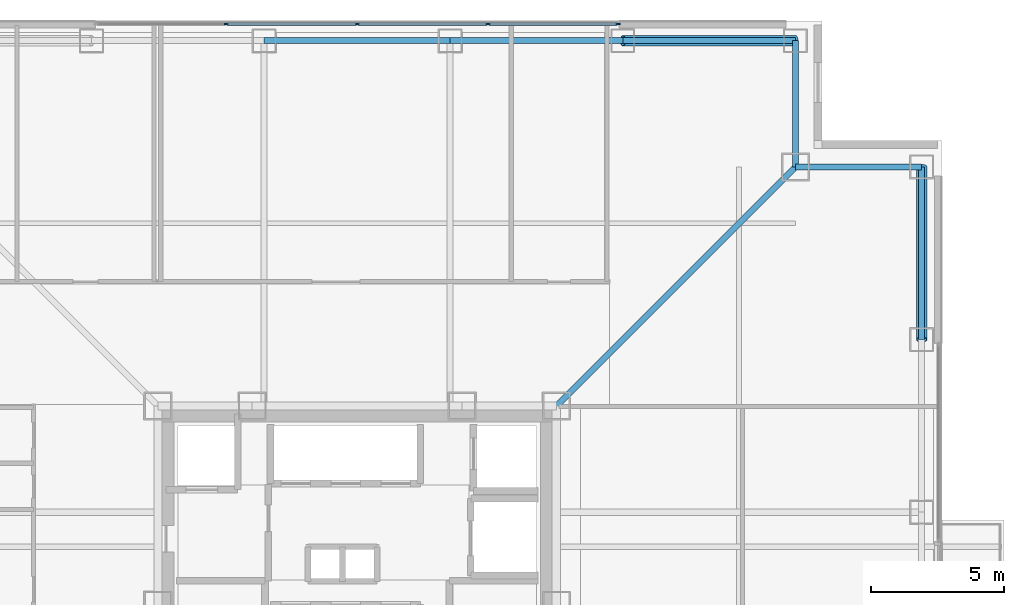
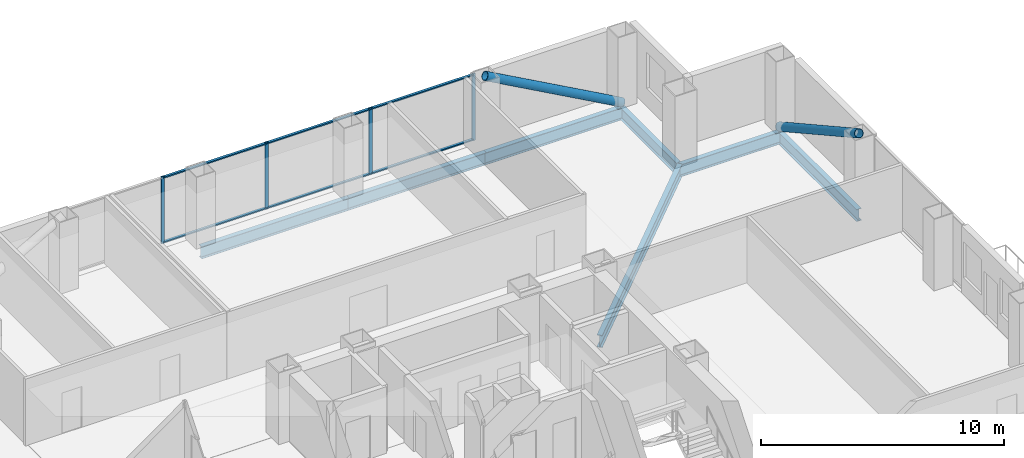
# One storey, part 10 of 16: 12 members, 7 beams, 1 element without a shape of its own.
"""IFC4 building model written with IfcOpenShell, lengths in metres."""

from ifc_helpers import new_model, si_unit, direction, frame, origin, origin_2d, place, context, subcontext, project, spatial, rectangle, hollow_circle, i_section, extrude, material, layer, layer_set, material_profile, profile_set, type_object, element, aggregate, save


model = new_model("IFC4")

# Units and contexts
model_context = context("Model", 3, precision=1e-05, world=origin(), true_north=direction((0.0, 1.0)))
body_context = subcontext(model_context, "Body", "Model", "MODEL_VIEW")
ifc_project = project(units=[si_unit("LENGTHUNIT", "METRE"), si_unit("AREAUNIT", "SQUARE_METRE"), si_unit("VOLUMEUNIT", "CUBIC_METRE"), si_unit("PLANEANGLEUNIT", "RADIAN"), si_unit("MASSUNIT", "GRAM", prefix="KILO")], contexts=[model_context])

# Site, building, storey
site_placement = place(None, origin())
site = spatial("IfcSite", under=ifc_project, at=site_placement, CompositionType="ELEMENT")
building_placement = place(site_placement, origin())
building = spatial("IfcBuilding", under=site, at=building_placement, Name="Trevonay Congress Spire", CompositionType="ELEMENT")
storey_placement = place(building_placement, frame((0.0, 0.0, 144.39990234375)))
storey = spatial("IfcBuildingStorey", under=building, at=storey_placement, Name="L37", CompositionType="ELEMENT", Elevation=144.39990234375)

# Beams
ifc_material_1 = material(Name="Steel ASTM A572 Grade 50", Category="steel")
ifc_material_profile_1 = material_profile(ifc_material_1, i_section(OverallWidth=0.22998046875, OverallDepth=0.616943359375, WebThickness=0.01318359375, FlangeThickness=0.022216796875, FilletRadius=0.01611328125, at=origin_2d()), Name="W610x140")
ifc_profile_set_1 = profile_set([ifc_material_profile_1], Name="Steel ASTM A572 Grade 50")
beam_type_1 = type_object("IfcBeamType", Name="BM-GIRD-W610X140", PredefinedType="BEAM", material=ifc_profile_set_1)
beam_1_placement = place(storey_placement, frame((7.5, 7.5, -0.54833984375), z_axis=(0.707106781187, 0.707106781187, 0.0), x_axis=(-0.707106781187, 0.707106781187, 0.0)))
element("IfcBeam", 1, at=beam_1_placement, inside=storey, type_object=beam_type_1, Name="L37 structural beam BM-L37-CDNE", PredefinedType="BEAM", context=body_context, shape_type="SweptSolid", body=[
    extrude(i_section(OverallWidth=0.22998046875, OverallDepth=0.616943359375, WebThickness=0.01318359375, FlangeThickness=0.022216796875, FilletRadius=0.01611328125, at=origin_2d()), origin(), (0.0, 0.0, 1.0), 12.72802734375),
])
ifc_material_profile_2 = material_profile(ifc_material_1, i_section(OverallWidth=0.22802734375, OverallDepth=0.60791015625, WebThickness=0.01123046875, FlangeThickness=0.017333984375, FilletRadius=0.01611328125, at=origin_2d()), Name="W610x113")
ifc_profile_set_2 = profile_set([ifc_material_profile_2], Name="Steel ASTM A572 Grade 50")
beam_type_2 = type_object("IfcBeamType", Name="BM-RING-W610X113", PredefinedType="BEAM", material=ifc_profile_set_2)
beam_2_placement = place(storey_placement, frame((-3.5, 21.25, -0.5439453125), z_axis=(1.0, 0.0, 0.0), x_axis=(0.0, 1.0, 0.0)))
element("IfcBeam", 2, at=beam_2_placement, inside=storey, type_object=beam_type_2, Name="L37 structural beam BM-L37-PN3", PredefinedType="BEAM", context=body_context, shape_type="SweptSolid", body=[
    extrude(i_section(OverallWidth=0.22802734375, OverallDepth=0.60791015625, WebThickness=0.01123046875, FlangeThickness=0.017333984375, FilletRadius=0.01611328125, at=origin_2d()), origin(), (0.0, 0.0, 1.0), 7.0),
])
for number, where, z_axis, x_axis, name in (
    (3, (3.5, 21.25, -0.5439453125), (1.0, 0.0, 0.0), (0.0, 1.0, 0.0), "L37 structural beam BM-L37-PN4"),
    (4, (10.0, 21.25, -0.5439453125), (1.0, 0.0, 0.0), (0.0, 1.0, 0.0), "L37 structural beam BM-L37-PN5"),
    (5, (21.25, 10.0, -0.5439453125), (0.0, 1.0, 0.0), (-1.0, 0.0, 0.0), "L37 structural beam BM-L37-PE5"),
):
    element("IfcBeam", number, at=place(storey_placement, frame(where, z_axis=z_axis, x_axis=x_axis)), inside=storey, type_object=beam_type_2, Name=name, PredefinedType="BEAM", context=body_context, shape_type="SweptSolid", body=[
        extrude(i_section(OverallWidth=0.22802734375, OverallDepth=0.60791015625, WebThickness=0.01123046875, FlangeThickness=0.017333984375, FilletRadius=0.01611328125, at=origin_2d()), origin(), (0.0, 0.0, 1.0), 6.5),
    ])
for number, where, z_axis, x_axis, name in (
    (6, (16.5, 21.25, -0.5439453125), (0.0, -1.0, 0.0), (1.0, 0.0, 0.0), "L37 structural beam BM-L37-N1NE"),
    (7, (21.25, 16.5, -0.5439453125), (-1.0, 0.0, 0.0), (0.0, -1.0, 0.0), "L37 structural beam BM-L37-N2NE"),
):
    element("IfcBeam", number, at=place(storey_placement, frame(where, z_axis=z_axis, x_axis=x_axis)), inside=storey, type_object=beam_type_2, Name=name, PredefinedType="BEAM", context=body_context, shape_type="SweptSolid", body=[
        extrude(i_section(OverallWidth=0.22802734375, OverallDepth=0.60791015625, WebThickness=0.01123046875, FlangeThickness=0.017333984375, FilletRadius=0.01611328125, at=origin_2d()), origin(), (0.0, 0.0, 1.0), 4.75),
    ])

# Curtain wall, members
ifc_material_2 = material(Name="Pale Anodised Aluminium EN AW-6063-T6", Category="aluminium")
ifc_layer = layer(ifc_material_2, 0.175048828125, Name="Pale Anodised Aluminium EN AW-6063-T6")
ifc_layer_set = layer_set([ifc_layer], Name="Pale Anodised Aluminium EN AW-6063-T6")
curtain_wall_type = type_object("IfcCurtainWallType", Name="CW-SYS03-CONGRESS-PALE-METAL", PredefinedType="NOTDEFINED", material=ifc_layer_set)
curtain_wall_placement = place(storey_placement, origin())
curtain_wall = element("IfcCurtainWall", 8, at=curtain_wall_placement, inside=storey, type_object=curtain_wall_type, Name="L37 N unitised curtain wall", PredefinedType="NOTDEFINED")
ifc_material_profile_3 = material_profile(ifc_material_2, rectangle(XDim=0.06005859375, YDim=0.159912109375, at=origin_2d()), Name="CW-MULLION-160-ALUMINIUM")
ifc_profile_set_3 = profile_set([ifc_material_profile_3], Name="Pale Anodised Aluminium EN AW-6063-T6")
member_type_1 = type_object("IfcMemberType", Name="CW-MULLION-160-ALUMINIUM", PredefinedType="MULLION", material=ifc_profile_set_3)
member_1_placement = place(storey_placement, frame((-4.925048828125, 21.8798828125, 0.0), z_axis=(0.0, 0.0, 1.0), x_axis=(0.0, 1.0, 0.0)))
member_1 = element("IfcMember", 9, at=member_1_placement, type_object=member_type_1, Name="CW03 mullion 2", PredefinedType="MULLION", context=body_context, shape_type="SweptSolid", body=[
    extrude(rectangle(XDim=0.06005859375, YDim=0.159912109375, at=origin_2d()), origin(), (0.0, 0.0, 1.0), 3.360107421875),
])
member_2_placement = place(storey_placement, frame((0.0, 21.8798828125, 0.0), z_axis=(0.0, 0.0, 1.0), x_axis=(0.0, 1.0, 0.0)))
member_2 = element("IfcMember", 10, at=member_2_placement, type_object=member_type_1, Name="CW03 mullion 3", PredefinedType="MULLION", context=body_context, shape_type="SweptSolid", body=[
    extrude(rectangle(XDim=0.06005859375, YDim=0.159912109375, at=origin_2d()), origin(), (0.0, 0.0, 1.0), 3.360107421875),
])
member_3_placement = place(storey_placement, frame((4.925048828125, 21.8798828125, 0.0), z_axis=(0.0, 0.0, 1.0), x_axis=(0.0, 1.0, 0.0)))
member_3 = element("IfcMember", 11, at=member_3_placement, type_object=member_type_1, Name="CW03 mullion 4", PredefinedType="MULLION", context=body_context, shape_type="SweptSolid", body=[
    extrude(rectangle(XDim=0.06005859375, YDim=0.159912109375, at=origin_2d()), origin(), (0.0, 0.0, 1.0), 3.360107421875),
])
member_4_placement = place(storey_placement, frame((9.820068359375, 21.8798828125, 0.0), z_axis=(0.0, 0.0, 1.0), x_axis=(0.0, 1.0, 0.0)))
member_4 = element("IfcMember", 12, at=member_4_placement, type_object=member_type_1, Name="CW03 mullion 5", PredefinedType="MULLION", context=body_context, shape_type="SweptSolid", body=[
    extrude(rectangle(XDim=0.06005859375, YDim=0.159912109375, at=origin_2d()), origin(), (0.0, 0.0, 1.0), 3.360107421875),
])
ifc_material_profile_4 = material_profile(ifc_material_2, rectangle(XDim=0.1201171875, YDim=0.06005859375, at=origin_2d()), Name="CW-TRANSOM-120-ALUMINIUM")
ifc_profile_set_4 = profile_set([ifc_material_profile_4], Name="Pale Anodised Aluminium EN AW-6063-T6")
member_type_2 = type_object("IfcMemberType", Name="CW-TRANSOM-120-ALUMINIUM", PredefinedType="USERDEFINED", material=ifc_profile_set_4)
member_5_placement = place(storey_placement, frame((-4.89501953125, 21.8798828125, 0.06005859375), z_axis=(1.0, 0.0, 0.0), x_axis=(0.0, 1.0, 0.0)))
member_5 = element("IfcMember", 13, at=member_5_placement, type_object=member_type_2, Name="CW03 transom 2.1", ObjectType="TRANSOM", PredefinedType="USERDEFINED", context=body_context, shape_type="SweptSolid", body=[
    extrude(rectangle(XDim=0.1201171875, YDim=0.06005859375, at=origin_2d()), origin(), (0.0, 0.0, 1.0), 4.864990234375),
])
member_6_placement = place(storey_placement, frame((-4.89501953125, 21.8798828125, 3.300048828125), z_axis=(1.0, 0.0, 0.0), x_axis=(0.0, 1.0, 0.0)))
member_6 = element("IfcMember", 14, at=member_6_placement, type_object=member_type_2, Name="CW03 transom 2.2", ObjectType="TRANSOM", PredefinedType="USERDEFINED", context=body_context, shape_type="SweptSolid", body=[
    extrude(rectangle(XDim=0.1201171875, YDim=0.06005859375, at=origin_2d()), origin(), (0.0, 0.0, 1.0), 4.864990234375),
])
member_7_placement = place(storey_placement, frame((0.030029296875, 21.8798828125, 0.06005859375), z_axis=(1.0, 0.0, 0.0), x_axis=(0.0, 1.0, 0.0)))
member_7 = element("IfcMember", 15, at=member_7_placement, type_object=member_type_2, Name="CW03 transom 3.1", ObjectType="TRANSOM", PredefinedType="USERDEFINED", context=body_context, shape_type="SweptSolid", body=[
    extrude(rectangle(XDim=0.1201171875, YDim=0.06005859375, at=origin_2d()), origin(), (0.0, 0.0, 1.0), 4.864990234375),
])
member_8_placement = place(storey_placement, frame((0.030029296875, 21.8798828125, 3.300048828125), z_axis=(1.0, 0.0, 0.0), x_axis=(0.0, 1.0, 0.0)))
member_8 = element("IfcMember", 16, at=member_8_placement, type_object=member_type_2, Name="CW03 transom 3.2", ObjectType="TRANSOM", PredefinedType="USERDEFINED", context=body_context, shape_type="SweptSolid", body=[
    extrude(rectangle(XDim=0.1201171875, YDim=0.06005859375, at=origin_2d()), origin(), (0.0, 0.0, 1.0), 4.864990234375),
])
member_9_placement = place(storey_placement, frame((4.955078125, 21.8798828125, 0.06005859375), z_axis=(1.0, 0.0, 0.0), x_axis=(0.0, 1.0, 0.0)))
member_9 = element("IfcMember", 17, at=member_9_placement, type_object=member_type_2, Name="CW03 transom 4.1", ObjectType="TRANSOM", PredefinedType="USERDEFINED", context=body_context, shape_type="SweptSolid", body=[
    extrude(rectangle(XDim=0.1201171875, YDim=0.06005859375, at=origin_2d()), origin(), (0.0, 0.0, 1.0), 4.8349609375),
])
member_10_placement = place(storey_placement, frame((4.955078125, 21.8798828125, 3.300048828125), z_axis=(1.0, 0.0, 0.0), x_axis=(0.0, 1.0, 0.0)))
member_10 = element("IfcMember", 18, at=member_10_placement, type_object=member_type_2, Name="CW03 transom 4.2", ObjectType="TRANSOM", PredefinedType="USERDEFINED", context=body_context, shape_type="SweptSolid", body=[
    extrude(rectangle(XDim=0.1201171875, YDim=0.06005859375, at=origin_2d()), origin(), (0.0, 0.0, 1.0), 4.8349609375),
])
aggregate(curtain_wall, [member_1, member_2, member_3, member_4, member_5, member_6, member_7, member_8, member_9, member_10])

# Members
ifc_material_3 = material(Name="Steel ASTM A500 Grade C", Category="steel")
ifc_material_profile_5 = material_profile(ifc_material_3, hollow_circle(Radius=0.203125, WallThickness=0.02001953125, at=origin_2d()), Name="CHS 406.4x20")
ifc_profile_set_5 = profile_set([ifc_material_profile_5], Name="Steel ASTM A500 Grade C")
member_type_3 = type_object("IfcMemberType", Name="MBR-TUBE-CHS406", PredefinedType="BRACE", material=ifc_profile_set_5)
for number, where, z_axis, x_axis, name in (
    (19, (16.5, 21.25, -0.0498046875), (-0.874799711691, 0.0, 0.484484741169), (0.0, -1.0, 0.0), "L37 perimeter braced-tube diagonal N4"),
    (20, (21.25, 16.5, -0.0498046875), (0.0, -0.874799711691, 0.484484741169), (1.0, 0.0, 0.0), "L37 perimeter braced-tube diagonal E4"),
):
    element("IfcMember", number, at=place(storey_placement, frame(where, z_axis=z_axis, x_axis=x_axis)), inside=storey, type_object=member_type_3, Name=name, PredefinedType="BRACE", context=body_context, shape_type="SweptSolid", body=[
        extrude(hollow_circle(Radius=0.203125, WallThickness=0.02001953125, at=origin_2d()), origin(), (0.0, 0.0, 1.0), 7.43017578125),
    ])

save(model, "model.ifc")
